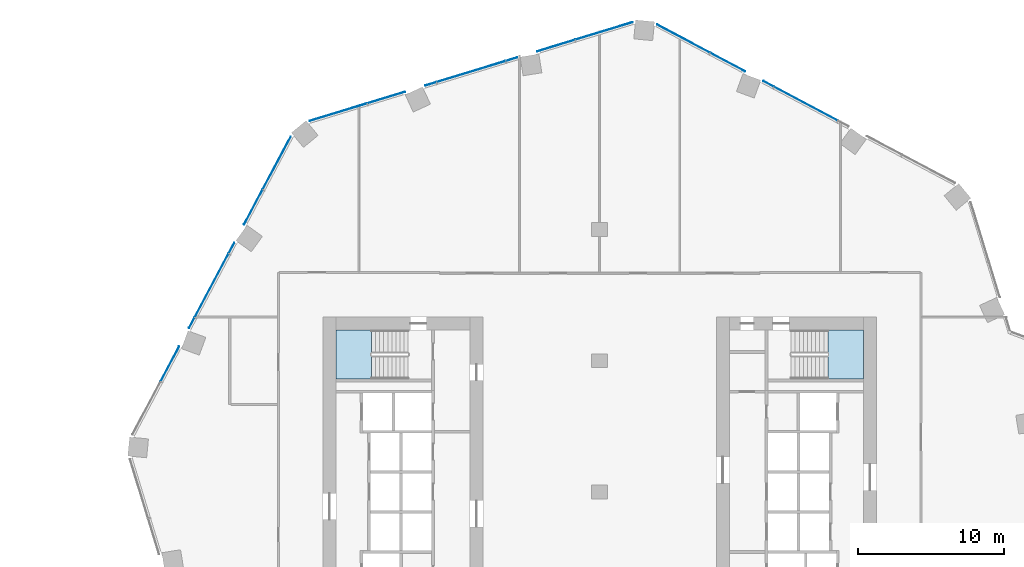
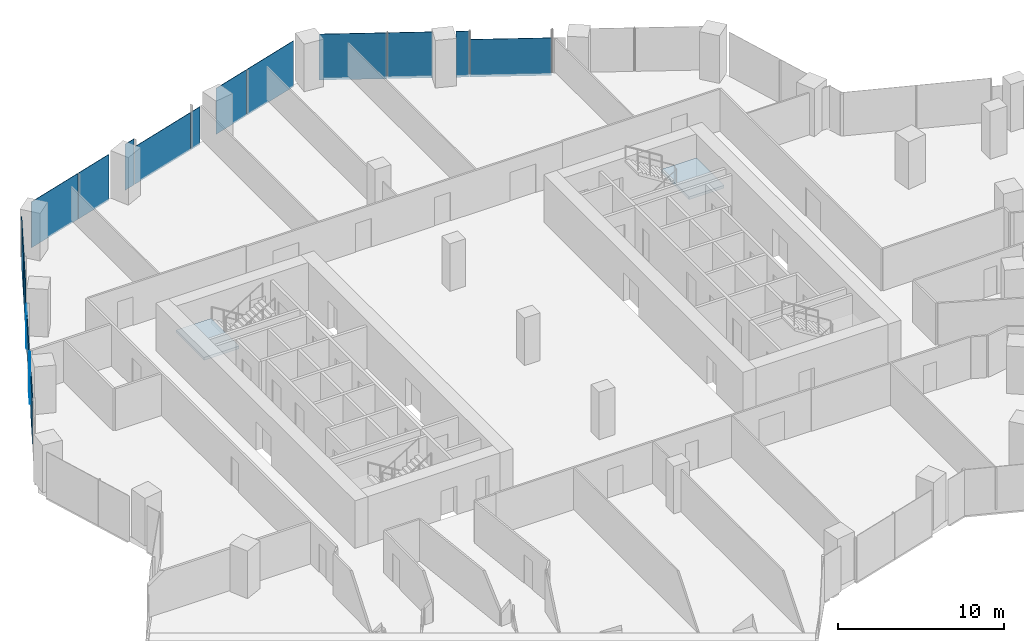
# One storey, part 21 of 31: 17 plates, 2 slabs, 5 elements without a shape of their own.
"""IFC4 building model written with IfcOpenShell, lengths in metres."""

from ifc_helpers import new_model, si_unit, direction, frame, origin, origin_2d, place, context, subcontext, project, spatial, polyline, rectangle, outline, extrude, material, layer, layer_set, type_object, element, aggregate, save


model = new_model("IFC4")

# Units and contexts
model_context = context("Model", 3, precision=1e-05, world=origin(), true_north=direction((0.0, 1.0)))
body_context = subcontext(model_context, "Body", "Model", "MODEL_VIEW")
ifc_project = project(units=[si_unit("LENGTHUNIT", "METRE"), si_unit("AREAUNIT", "SQUARE_METRE"), si_unit("VOLUMEUNIT", "CUBIC_METRE"), si_unit("PLANEANGLEUNIT", "RADIAN"), si_unit("MASSUNIT", "GRAM", prefix="KILO")], contexts=[model_context])

# Site, building, storey
site_placement = place(None, origin())
site = spatial("IfcSite", under=ifc_project, at=site_placement, CompositionType="ELEMENT")
building_placement = place(site_placement, origin())
building = spatial("IfcBuilding", under=site, at=building_placement, Name="Orlundy Tower", CompositionType="ELEMENT")
storey_placement = place(building_placement, frame((0.0, 0.0, 94.699951171875)))
storey = spatial("IfcBuildingStorey", under=building, at=storey_placement, Name="L23", CompositionType="ELEMENT", Elevation=94.699951171875)

# Curtain wall, plates
ifc_material_1 = material(Name="Aluminium bronze anodised", Category="aluminium")
curtain_wall_type = type_object("IfcCurtainWallType", Name="CW1 wall", PredefinedType="NOTDEFINED", material=ifc_material_1)
curtain_wall_1_placement = place(storey_placement, origin())
curtain_wall_1 = element("IfcCurtainWall", 1, at=curtain_wall_1_placement, inside=storey, type_object=curtain_wall_type, Name="CW1 run 02", PredefinedType="NOTDEFINED")
ifc_material_2 = material(Name="Tinted glass", Category="glass")
ifc_layer_1 = layer(ifc_material_2, 0.031982421875)
ifc_layer_set_1 = layer_set([ifc_layer_1], Name="CW1 glass panel 32")
plate_type = type_object("IfcPlateType", Name="CW1 glass panel 32", PredefinedType="CURTAIN_PANEL", material=ifc_layer_set_1)
plate_1_placement = place(storey_placement, frame((-29.489501953125, 8.788818359375, -0.27978515625), z_axis=(0.0, 0.0, 1.0), x_axis=(0.469445471129, 0.882961465544, 0.0)))
plate_1 = element("IfcPlate", 2, at=plate_1_placement, type_object=plate_type, Name="CW1 panel", PredefinedType="CURTAIN_PANEL", context=body_context, shape_type="SweptSolid", body=[
    extrude(rectangle(XDim=2.69287109375, YDim=0.031982421875, at=origin_2d()), origin(), (0.0, 0.0, 1.0), 3.3798828125),
])
plate_2_placement = place(storey_placement, frame((-27.998779296875, 11.593017578125, -0.27978515625), z_axis=(0.0, 0.0, 1.0), x_axis=(0.469445471129, 0.882961465544, 0.0)))
plate_2 = element("IfcPlate", 3, at=plate_2_placement, type_object=plate_type, Name="CW1 panel", PredefinedType="CURTAIN_PANEL", context=body_context, shape_type="SweptSolid", body=[
    extrude(rectangle(XDim=0.79638671875, YDim=0.031982421875, at=origin_2d()), origin(), (0.0, 0.0, 1.0), 3.3798828125),
])
plate_3_placement = place(storey_placement, frame((-26.63330078125, 14.160888671875, -0.27978515625), z_axis=(0.0, 0.0, 1.0), x_axis=(0.469445471129, 0.882961465544, 0.0)))
plate_3 = element("IfcPlate", 4, at=plate_3_placement, type_object=plate_type, Name="CW1 panel", PredefinedType="CURTAIN_PANEL", context=body_context, shape_type="SweptSolid", body=[
    extrude(rectangle(XDim=4.920654296875, YDim=0.031982421875, at=origin_2d()), origin(), (0.0, 0.0, 1.0), 2.763916015625),
])
plate_4_placement = place(storey_placement, frame((-25.267822265625, 16.729248046875, -0.27978515625), z_axis=(0.0, 0.0, 1.0), x_axis=(0.469445471129, 0.882961465544, 0.0)))
plate_4 = element("IfcPlate", 5, at=plate_4_placement, type_object=plate_type, Name="CW1 panel", PredefinedType="CURTAIN_PANEL", context=body_context, shape_type="SweptSolid", body=[
    extrude(rectangle(XDim=0.796875, YDim=0.031982421875, at=origin_2d()), origin(), (0.0, 0.0, 1.0), 2.763916015625),
])
plate_5_placement = place(storey_placement, frame((-23.776123046875, 19.534912109375, -0.27978515625), z_axis=(0.0, 0.0, 1.0), x_axis=(0.469445471129, 0.882961465544, 0.0)))
plate_5 = element("IfcPlate", 6, at=plate_5_placement, type_object=plate_type, Name="CW1 panel", PredefinedType="CURTAIN_PANEL", context=body_context, shape_type="SweptSolid", body=[
    extrude(rectangle(XDim=2.68896484375, YDim=0.031982421875, at=origin_2d()), origin(), (0.0, 0.0, 1.0), 3.3798828125),
])
plate_6_placement = place(storey_placement, frame((-22.160400390625, 22.57373046875, -0.27978515625), z_axis=(0.0, 0.0, 1.0), x_axis=(0.469445471129, 0.882961465544, 0.0)))
plate_6 = element("IfcPlate", 7, at=plate_6_placement, type_object=plate_type, Name="CW1 panel", PredefinedType="CURTAIN_PANEL", context=body_context, shape_type="SweptSolid", body=[
    extrude(rectangle(XDim=4.09423828125, YDim=0.031982421875, at=origin_2d()), origin(), (0.0, 0.0, 1.0), 3.3798828125),
])
aggregate(curtain_wall_1, [plate_1, plate_2, plate_3, plate_4, plate_5, plate_6])

curtain_wall_2_placement = place(storey_placement, origin())
curtain_wall_2 = element("IfcCurtainWall", 8, at=curtain_wall_2_placement, inside=storey, type_object=curtain_wall_type, Name="CW1 run 03", PredefinedType="NOTDEFINED")
plate_7_placement = place(storey_placement, frame((-17.930419921875, 26.060546875, -0.27978515625), z_axis=(0.0, 0.0, 1.0), x_axis=(0.956308143364, 0.292360624804, 0.0)))
plate_7 = element("IfcPlate", 9, at=plate_7_placement, type_object=plate_type, Name="CW1 panel", PredefinedType="CURTAIN_PANEL", context=body_context, shape_type="SweptSolid", body=[
    extrude(rectangle(XDim=4.092529296875, YDim=0.031982421875, at=origin_2d()), origin(), (0.0, 0.0, 1.0), 3.3798828125),
])
plate_8_placement = place(storey_placement, frame((-14.64111328125, 27.066162109375, -0.27978515625), z_axis=(0.0, 0.0, 1.0), x_axis=(0.956308143364, 0.292360624804, 0.0)))
plate_8 = element("IfcPlate", 10, at=plate_8_placement, type_object=plate_type, Name="CW1 panel", PredefinedType="CURTAIN_PANEL", context=body_context, shape_type="SweptSolid", body=[
    extrude(rectangle(XDim=2.686767578125, YDim=0.031982421875, at=origin_2d()), origin(), (0.0, 0.0, 1.0), 3.3798828125),
])
plate_9_placement = place(storey_placement, frame((-11.600830078125, 27.99560546875, -0.27978515625), z_axis=(0.0, 0.0, 1.0), x_axis=(0.956308143364, 0.292360624804, 0.0)))
plate_9 = element("IfcPlate", 11, at=plate_9_placement, type_object=plate_type, Name="CW1 panel", PredefinedType="CURTAIN_PANEL", context=body_context, shape_type="SweptSolid", body=[
    extrude(rectangle(XDim=0.796142578125, YDim=0.031982421875, at=origin_2d()), origin(), (0.0, 0.0, 1.0), 3.3798828125),
])
plate_10_placement = place(storey_placement, frame((-8.8193359375, 28.845947265625, -0.27978515625), z_axis=(0.0, 0.0, 1.0), x_axis=(0.956308143364, 0.292360624804, 0.0)))
plate_10 = element("IfcPlate", 12, at=plate_10_placement, type_object=plate_type, Name="CW1 panel", PredefinedType="CURTAIN_PANEL", context=body_context, shape_type="SweptSolid", body=[
    extrude(rectangle(XDim=4.920654296875, YDim=0.031982421875, at=origin_2d()), origin(), (0.0, 0.0, 1.0), 2.763916015625),
])
plate_11_placement = place(storey_placement, frame((-6.037841796875, 29.6962890625, -0.27978515625), z_axis=(0.0, 0.0, 1.0), x_axis=(0.956308143364, 0.292360624804, 0.0)))
plate_11 = element("IfcPlate", 13, at=plate_11_placement, type_object=plate_type, Name="CW1 panel", PredefinedType="CURTAIN_PANEL", context=body_context, shape_type="SweptSolid", body=[
    extrude(rectangle(XDim=0.796630859375, YDim=0.031982421875, at=origin_2d()), origin(), (0.0, 0.0, 1.0), 2.763916015625),
])
plate_12_placement = place(storey_placement, frame((-2.999755859375, 30.625, -0.27978515625), z_axis=(0.0, 0.0, 1.0), x_axis=(0.956308143364, 0.292360624804, 0.0)))
plate_12 = element("IfcPlate", 14, at=plate_12_placement, type_object=plate_type, Name="CW1 panel", PredefinedType="CURTAIN_PANEL", context=body_context, shape_type="SweptSolid", body=[
    extrude(rectangle(XDim=2.6904296875, YDim=0.031982421875, at=origin_2d()), origin(), (0.0, 0.0, 1.0), 3.3798828125),
])
plate_13_placement = place(storey_placement, frame((0.2919921875, 31.63134765625, -0.27978515625), z_axis=(0.0, 0.0, 1.0), x_axis=(0.956308143364, 0.292360624804, 0.0)))
plate_13 = element("IfcPlate", 15, at=plate_13_placement, type_object=plate_type, Name="CW1 panel", PredefinedType="CURTAIN_PANEL", context=body_context, shape_type="SweptSolid", body=[
    extrude(rectangle(XDim=4.09375, YDim=0.031982421875, at=origin_2d()), origin(), (0.0, 0.0, 1.0), 3.3798828125),
])
aggregate(curtain_wall_2, [plate_7, plate_8, plate_9, plate_10, plate_11, plate_12, plate_13])

curtain_wall_3_placement = place(storey_placement, origin())
curtain_wall_3 = element("IfcCurtainWall", 16, at=curtain_wall_3_placement, inside=storey, type_object=curtain_wall_type, Name="CW1 run 04", PredefinedType="NOTDEFINED")
plate_14_placement = place(storey_placement, frame((5.74853515625, 31.10595703125, -0.27978515625), z_axis=(0.0, 0.0, 1.0), x_axis=(0.882961465544, -0.469445471129, 0.0)))
plate_14 = element("IfcPlate", 17, at=plate_14_placement, type_object=plate_type, Name="CW1 panel", PredefinedType="CURTAIN_PANEL", context=body_context, shape_type="SweptSolid", body=[
    extrude(rectangle(XDim=4.09326171875, YDim=0.031982421875, at=origin_2d()), origin(), (0.0, 0.0, 1.0), 3.3798828125),
])
plate_15_placement = place(storey_placement, frame((8.788818359375, 29.489501953125, -0.27978515625), z_axis=(0.0, 0.0, 1.0), x_axis=(0.882961465544, -0.469445471129, 0.0)))
plate_15 = element("IfcPlate", 18, at=plate_15_placement, type_object=plate_type, Name="CW1 panel", PredefinedType="CURTAIN_PANEL", context=body_context, shape_type="SweptSolid", body=[
    extrude(rectangle(XDim=2.69287109375, YDim=0.031982421875, at=origin_2d()), origin(), (0.0, 0.0, 1.0), 3.3798828125),
])
plate_16_placement = place(storey_placement, frame((11.593017578125, 27.998779296875, -0.27978515625), z_axis=(0.0, 0.0, 1.0), x_axis=(0.882961465544, -0.469445471129, 0.0)))
plate_16 = element("IfcPlate", 19, at=plate_16_placement, type_object=plate_type, Name="CW1 panel", PredefinedType="CURTAIN_PANEL", context=body_context, shape_type="SweptSolid", body=[
    extrude(rectangle(XDim=0.79638671875, YDim=0.031982421875, at=origin_2d()), origin(), (0.0, 0.0, 1.0), 3.3798828125),
])
plate_17_placement = place(storey_placement, frame((14.160888671875, 26.63330078125, -0.27978515625), z_axis=(0.0, 0.0, 1.0), x_axis=(0.882961465544, -0.469445471129, 0.0)))
plate_17 = element("IfcPlate", 20, at=plate_17_placement, type_object=plate_type, Name="CW1 panel", PredefinedType="CURTAIN_PANEL", context=body_context, shape_type="SweptSolid", body=[
    extrude(rectangle(XDim=4.920654296875, YDim=0.031982421875, at=origin_2d()), origin(), (0.0, 0.0, 1.0), 2.763916015625),
])
aggregate(curtain_wall_3, [plate_14, plate_15, plate_16, plate_17])

# Stair, slab
ifc_material_3 = material(Name="Concrete C50/60", Category="concrete")
stair_type = type_object("IfcStairType", Name="Exit Stair 20 risers", PredefinedType="HALF_TURN_STAIR", material=ifc_material_3)
stair_1_placement = place(storey_placement, origin())
stair_1 = element("IfcStair", 21, at=stair_1_placement, inside=storey, type_object=stair_type, Name="L23 Exit Stair ST-W1", PredefinedType="HALF_TURN_STAIR")
ifc_material_4 = material(Name="Concrete C50/60", Category="concrete")
ifc_layer_2 = layer(ifc_material_4, 0.199951171875)
ifc_layer_set_2 = layer_set([ifc_layer_2], Name="Exit Stair Landing")
slab_type = type_object("IfcSlabType", Name="Exit Stair Landing", PredefinedType="LANDING", material=ifc_layer_set_2)
slab_1_placement = place(storey_placement, frame((0.0, 0.0, 1.550048828125)))
slab_1 = element("IfcSlab", 22, at=slab_1_placement, type_object=slab_type, Name="ST-W1 landing 1", PredefinedType="LANDING", context=body_context, shape_type="SweptSolid", body=[
    extrude(outline(polyline([(-15.659912109375, 11.10009765625), (-18.10009765625, 11.10009765625), (-18.10009765625, 7.75), (-15.659912109375, 7.75), (-15.659912109375, 11.10009765625)])), origin(), (0.0, 0.0, 1.0), 0.199951171875),
])
aggregate(stair_1, [slab_1])

stair_2_placement = place(storey_placement, origin())
stair_2 = element("IfcStair", 23, at=stair_2_placement, inside=storey, type_object=stair_type, Name="L23 Exit Stair ST-E2", PredefinedType="HALF_TURN_STAIR")
slab_2_placement = place(storey_placement, frame((0.0, 0.0, 1.550048828125)))
slab_2 = element("IfcSlab", 24, at=slab_2_placement, type_object=slab_type, Name="ST-E2 landing 1", PredefinedType="LANDING", context=body_context, shape_type="SweptSolid", body=[
    extrude(outline(polyline([(15.659912109375, 7.75), (18.10009765625, 7.75), (18.10009765625, 11.10009765625), (15.659912109375, 11.10009765625), (15.659912109375, 7.75)])), origin(), (0.0, 0.0, 1.0), 0.199951171875),
])
aggregate(stair_2, [slab_2])

save(model, "model.ifc")
